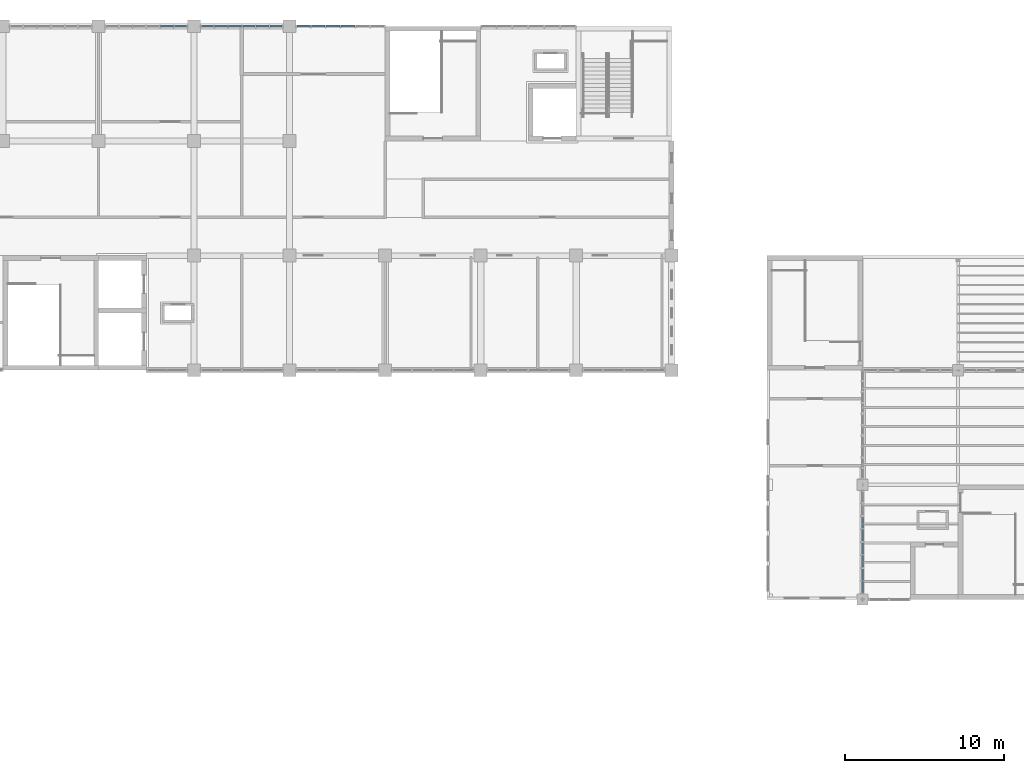
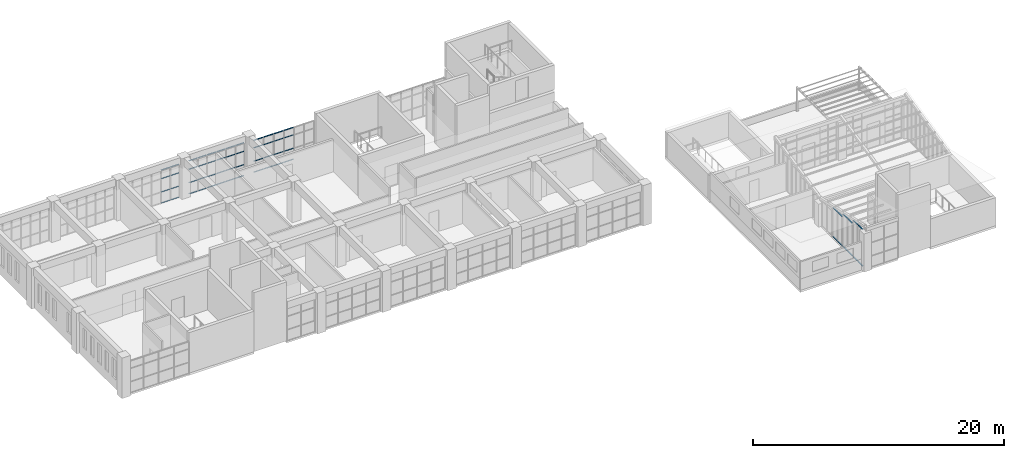
# One storey, part 28 of 51: 60 members, 6 elements without a shape of their own.
"""IFC4 building model written with IfcOpenShell, lengths in metres."""

from ifc_helpers import new_model, si_unit, direction, frame, origin, origin_2d, place, context, subcontext, project, spatial, hollow_rectangle, extrude, material, material_profile, profile_set, type_object, element, aggregate, save


model = new_model("IFC4")

# Units and contexts
model_context = context("Model", 3, precision=1e-05, world=origin(), true_north=direction((0.0, 1.0)))
body_context = subcontext(model_context, "Body", "Model", "MODEL_VIEW")
ifc_project = project(units=[si_unit("LENGTHUNIT", "METRE"), si_unit("AREAUNIT", "SQUARE_METRE"), si_unit("VOLUMEUNIT", "CUBIC_METRE"), si_unit("PLANEANGLEUNIT", "RADIAN"), si_unit("MASSUNIT", "GRAM", prefix="KILO")], contexts=[model_context])

# Site, building, storey
site_placement = place(None, origin())
site = spatial("IfcSite", under=ifc_project, at=site_placement, CompositionType="ELEMENT")
building_placement = place(site_placement, origin())
building = spatial("IfcBuilding", under=site, at=building_placement, Name="Laocheng Heights Fire and Rescue Headquarters", CompositionType="ELEMENT")
storey_placement = place(building_placement, frame((0.0, 0.0, 21.0)))
storey = spatial("IfcBuildingStorey", under=building, at=storey_placement, Name="L05", CompositionType="ELEMENT", Elevation=21.0)

# Curtain wall, members
ifc_material_1 = material(Name="Dark anodised aluminium unitised curtain wall, low-e double glazing", Category="aluminium")
curtain_wall_type_1 = type_object("IfcCurtainWallType", Name="CW 1625 x 3590 CREW LOUNGE END UNIT", PredefinedType="NOTDEFINED", material=ifc_material_1)
curtain_wall_1_placement = place(storey_placement, origin())
curtain_wall_1 = element("IfcCurtainWall", 1, at=curtain_wall_1_placement, inside=storey, type_object=curtain_wall_type_1, Name="X12-W CREW LOUNGE WEST 36 1", PredefinedType="NOTDEFINED")
ifc_material_2 = material(Name="Dark anodised aluminium 6063-T5 extrusion", Category="aluminium")
ifc_material_profile_1 = material_profile(ifc_material_2, hollow_rectangle(XDim=0.10009765625, YDim=0.050048828125, WallThickness=0.0029296875, at=origin_2d()), Name="AL TRANSOM 100x50x3 CREW LOUNGE END UNIT")
ifc_profile_set_1 = profile_set([ifc_material_profile_1], Name="Dark anodised aluminium 6063-T5 extrusion")
member_type_1 = type_object("IfcMemberType", Name="AL TRANSOM 100x50x3 CREW LOUNGE END UNIT", PredefinedType="USERDEFINED", material=ifc_profile_set_1)
member_1_placement = place(storey_placement, frame((96.0, 36.409912109375, 0.02490234375), z_axis=(0.0, 1.0, 0.0), x_axis=(-1.0, 0.0, 0.0)))
member_1 = element("IfcMember", 2, at=member_1_placement, type_object=member_type_1, Name="X12-W transom 1.1", ObjectType="TRANSOM", PredefinedType="USERDEFINED", context=body_context, shape_type="SweptSolid", body=[
    extrude(hollow_rectangle(XDim=0.10009765625, YDim=0.050048828125, WallThickness=0.0029296875, at=origin_2d()), origin(), (0.0, 0.0, 1.0), 0.72265625),
])
member_2_placement = place(storey_placement, frame((96.0, 36.409912109375, 3.565185546875), z_axis=(0.0, 1.0, 0.0), x_axis=(-1.0, 0.0, 0.0)))
member_2 = element("IfcMember", 3, at=member_2_placement, type_object=member_type_1, Name="X12-W transom 1.2", ObjectType="TRANSOM", PredefinedType="USERDEFINED", context=body_context, shape_type="SweptSolid", body=[
    extrude(hollow_rectangle(XDim=0.10009765625, YDim=0.050048828125, WallThickness=0.0029296875, at=origin_2d()), origin(), (0.0, 0.0, 1.0), 0.72265625),
])
member_3_placement = place(storey_placement, frame((96.0, 37.1923828125, 0.02490234375), z_axis=(0.0, 1.0, 0.0), x_axis=(-1.0, 0.0, 0.0)))
member_3 = element("IfcMember", 4, at=member_3_placement, type_object=member_type_1, Name="X12-W transom 2.1", ObjectType="TRANSOM", PredefinedType="USERDEFINED", context=body_context, shape_type="SweptSolid", body=[
    extrude(hollow_rectangle(XDim=0.10009765625, YDim=0.050048828125, WallThickness=0.0029296875, at=origin_2d()), origin(), (0.0, 0.0, 1.0), 0.72265625),
])
member_4_placement = place(storey_placement, frame((96.0, 37.1923828125, 3.565185546875), z_axis=(0.0, 1.0, 0.0), x_axis=(-1.0, 0.0, 0.0)))
member_4 = element("IfcMember", 5, at=member_4_placement, type_object=member_type_1, Name="X12-W transom 2.2", ObjectType="TRANSOM", PredefinedType="USERDEFINED", context=body_context, shape_type="SweptSolid", body=[
    extrude(hollow_rectangle(XDim=0.10009765625, YDim=0.050048828125, WallThickness=0.0029296875, at=origin_2d()), origin(), (0.0, 0.0, 1.0), 0.72265625),
])
aggregate(curtain_wall_1, [member_1, member_2, member_3, member_4])

ifc_material_3 = material(Name="Dark anodised aluminium unitised curtain wall, low-e double glazing", Category="aluminium")
curtain_wall_type_2 = type_object("IfcCurtainWallType", Name="CW 1625 x 3229 CREW LOUNGE END UNIT", PredefinedType="NOTDEFINED", material=ifc_material_3)
curtain_wall_2_placement = place(storey_placement, origin())
curtain_wall_2 = element("IfcCurtainWall", 6, at=curtain_wall_2_placement, inside=storey, type_object=curtain_wall_type_2, Name="X13-W CREW LOUNGE WEST 36 2", PredefinedType="NOTDEFINED")
member_5_placement = place(storey_placement, frame((96.0, 38.034912109375, 0.02490234375), z_axis=(0.0, 1.0, 0.0), x_axis=(-1.0, 0.0, 0.0)))
member_5 = element("IfcMember", 7, at=member_5_placement, type_object=member_type_1, Name="X13-W transom 1.1", ObjectType="TRANSOM", PredefinedType="USERDEFINED", context=body_context, shape_type="SweptSolid", body=[
    extrude(hollow_rectangle(XDim=0.10009765625, YDim=0.050048828125, WallThickness=0.0029296875, at=origin_2d()), origin(), (0.0, 0.0, 1.0), 0.72265625),
])
member_6_placement = place(storey_placement, frame((96.0, 38.034912109375, 3.2041015625), z_axis=(0.0, 1.0, 0.0), x_axis=(-1.0, 0.0, 0.0)))
member_6 = element("IfcMember", 8, at=member_6_placement, type_object=member_type_1, Name="X13-W transom 1.2", ObjectType="TRANSOM", PredefinedType="USERDEFINED", context=body_context, shape_type="SweptSolid", body=[
    extrude(hollow_rectangle(XDim=0.10009765625, YDim=0.050048828125, WallThickness=0.0029296875, at=origin_2d()), origin(), (0.0, 0.0, 1.0), 0.72265625),
])
member_7_placement = place(storey_placement, frame((96.0, 38.8173828125, 0.02490234375), z_axis=(0.0, 1.0, 0.0), x_axis=(-1.0, 0.0, 0.0)))
member_7 = element("IfcMember", 9, at=member_7_placement, type_object=member_type_1, Name="X13-W transom 2.1", ObjectType="TRANSOM", PredefinedType="USERDEFINED", context=body_context, shape_type="SweptSolid", body=[
    extrude(hollow_rectangle(XDim=0.10009765625, YDim=0.050048828125, WallThickness=0.0029296875, at=origin_2d()), origin(), (0.0, 0.0, 1.0), 0.72265625),
])
member_8_placement = place(storey_placement, frame((96.0, 38.8173828125, 3.2041015625), z_axis=(0.0, 1.0, 0.0), x_axis=(-1.0, 0.0, 0.0)))
member_8 = element("IfcMember", 10, at=member_8_placement, type_object=member_type_1, Name="X13-W transom 2.2", ObjectType="TRANSOM", PredefinedType="USERDEFINED", context=body_context, shape_type="SweptSolid", body=[
    extrude(hollow_rectangle(XDim=0.10009765625, YDim=0.050048828125, WallThickness=0.0029296875, at=origin_2d()), origin(), (0.0, 0.0, 1.0), 0.72265625),
])
aggregate(curtain_wall_2, [member_5, member_6, member_7, member_8])

ifc_material_4 = material(Name="Dark anodised aluminium unitised curtain wall, low-e double glazing", Category="aluminium")
curtain_wall_type_3 = type_object("IfcCurtainWallType", Name="CW 1625 x 2868 CREW LOUNGE END UNIT", PredefinedType="NOTDEFINED", material=ifc_material_4)
curtain_wall_3_placement = place(storey_placement, origin())
curtain_wall_3 = element("IfcCurtainWall", 11, at=curtain_wall_3_placement, inside=storey, type_object=curtain_wall_type_3, Name="X14-W CREW LOUNGE WEST 36 3", PredefinedType="NOTDEFINED")
member_9_placement = place(storey_placement, frame((96.0, 39.659912109375, 0.02490234375), z_axis=(0.0, 1.0, 0.0), x_axis=(-1.0, 0.0, 0.0)))
member_9 = element("IfcMember", 12, at=member_9_placement, type_object=member_type_1, Name="X14-W transom 1.1", ObjectType="TRANSOM", PredefinedType="USERDEFINED", context=body_context, shape_type="SweptSolid", body=[
    extrude(hollow_rectangle(XDim=0.10009765625, YDim=0.050048828125, WallThickness=0.0029296875, at=origin_2d()), origin(), (0.0, 0.0, 1.0), 0.72265625),
])
member_10_placement = place(storey_placement, frame((96.0, 39.659912109375, 2.843017578125), z_axis=(0.0, 1.0, 0.0), x_axis=(-1.0, 0.0, 0.0)))
member_10 = element("IfcMember", 13, at=member_10_placement, type_object=member_type_1, Name="X14-W transom 1.2", ObjectType="TRANSOM", PredefinedType="USERDEFINED", context=body_context, shape_type="SweptSolid", body=[
    extrude(hollow_rectangle(XDim=0.10009765625, YDim=0.050048828125, WallThickness=0.0029296875, at=origin_2d()), origin(), (0.0, 0.0, 1.0), 0.72265625),
])
member_11_placement = place(storey_placement, frame((96.0, 40.4423828125, 0.02490234375), z_axis=(0.0, 1.0, 0.0), x_axis=(-1.0, 0.0, 0.0)))
member_11 = element("IfcMember", 14, at=member_11_placement, type_object=member_type_1, Name="X14-W transom 2.1", ObjectType="TRANSOM", PredefinedType="USERDEFINED", context=body_context, shape_type="SweptSolid", body=[
    extrude(hollow_rectangle(XDim=0.10009765625, YDim=0.050048828125, WallThickness=0.0029296875, at=origin_2d()), origin(), (0.0, 0.0, 1.0), 0.72265625),
])
member_12_placement = place(storey_placement, frame((96.0, 40.4423828125, 2.843017578125), z_axis=(0.0, 1.0, 0.0), x_axis=(-1.0, 0.0, 0.0)))
member_12 = element("IfcMember", 15, at=member_12_placement, type_object=member_type_1, Name="X14-W transom 2.2", ObjectType="TRANSOM", PredefinedType="USERDEFINED", context=body_context, shape_type="SweptSolid", body=[
    extrude(hollow_rectangle(XDim=0.10009765625, YDim=0.050048828125, WallThickness=0.0029296875, at=origin_2d()), origin(), (0.0, 0.0, 1.0), 0.72265625),
])
aggregate(curtain_wall_3, [member_9, member_10, member_11, member_12])

ifc_material_5 = material(Name="Dark anodised aluminium unitised curtain wall, low-e double glazing", Category="aluminium")
curtain_wall_type_4 = type_object("IfcCurtainWallType", Name="CW 5200 x 3250 HQ NORTH GLAZING", PredefinedType="NOTDEFINED", material=ifc_material_5)
curtain_wall_4_placement = place(storey_placement, origin())
curtain_wall_4 = element("IfcCurtainWall", 16, at=curtain_wall_4_placement, inside=storey, type_object=curtain_wall_type_4, Name="X26-X HQ NORTH L05", PredefinedType="NOTDEFINED")
ifc_material_6 = material(Name="Dark anodised aluminium 6063-T5 extrusion", Category="aluminium")
ifc_material_profile_2 = material_profile(ifc_material_6, hollow_rectangle(XDim=0.10009765625, YDim=0.050048828125, WallThickness=0.0029296875, at=origin_2d()), Name="AL TRANSOM 100x50x3 HQ NORTH GLAZING")
ifc_profile_set_2 = profile_set([ifc_material_profile_2], Name="Dark anodised aluminium 6063-T5 extrusion")
member_type_2 = type_object("IfcMemberType", Name="AL TRANSOM 100x50x3 HQ NORTH GLAZING", PredefinedType="USERDEFINED", material=ifc_profile_set_2)
member_13_placement = place(storey_placement, frame((51.896728515625, 72.0, 0.02490234375), z_axis=(1.0, 0.0, 0.0), x_axis=(0.0, 1.0, 0.0)))
member_13 = element("IfcMember", 17, at=member_13_placement, type_object=member_type_2, Name="X26-X transom 5.1", ObjectType="TRANSOM", PredefinedType="USERDEFINED", context=body_context, shape_type="SweptSolid", body=[
    extrude(hollow_rectangle(XDim=0.10009765625, YDim=0.050048828125, WallThickness=0.0029296875, at=origin_2d()), origin(), (0.0, 0.0, 1.0), 0.806640625),
])
member_14_placement = place(storey_placement, frame((51.896728515625, 72.0, 1.10009765625), z_axis=(1.0, 0.0, 0.0), x_axis=(0.0, 1.0, 0.0)))
member_14 = element("IfcMember", 18, at=member_14_placement, type_object=member_type_2, Name="X26-X transom 5.2", ObjectType="TRANSOM", PredefinedType="USERDEFINED", context=body_context, shape_type="SweptSolid", body=[
    extrude(hollow_rectangle(XDim=0.10009765625, YDim=0.050048828125, WallThickness=0.0029296875, at=origin_2d()), origin(), (0.0, 0.0, 1.0), 0.806640625),
])
member_15_placement = place(storey_placement, frame((51.896728515625, 72.0, 2.39990234375), z_axis=(1.0, 0.0, 0.0), x_axis=(0.0, 1.0, 0.0)))
member_15 = element("IfcMember", 19, at=member_15_placement, type_object=member_type_2, Name="X26-X transom 5.3", ObjectType="TRANSOM", PredefinedType="USERDEFINED", context=body_context, shape_type="SweptSolid", body=[
    extrude(hollow_rectangle(XDim=0.10009765625, YDim=0.050048828125, WallThickness=0.0029296875, at=origin_2d()), origin(), (0.0, 0.0, 1.0), 0.806640625),
])
member_16_placement = place(storey_placement, frame((51.896728515625, 72.0, 3.22509765625), z_axis=(1.0, 0.0, 0.0), x_axis=(0.0, 1.0, 0.0)))
member_16 = element("IfcMember", 20, at=member_16_placement, type_object=member_type_2, Name="X26-X transom 5.4", ObjectType="TRANSOM", PredefinedType="USERDEFINED", context=body_context, shape_type="SweptSolid", body=[
    extrude(hollow_rectangle(XDim=0.10009765625, YDim=0.050048828125, WallThickness=0.0029296875, at=origin_2d()), origin(), (0.0, 0.0, 1.0), 0.806640625),
])
member_17_placement = place(storey_placement, frame((52.763427734375, 72.0, 0.02490234375), z_axis=(1.0, 0.0, 0.0), x_axis=(0.0, 1.0, 0.0)))
member_17 = element("IfcMember", 21, at=member_17_placement, type_object=member_type_2, Name="X26-X transom 6.1", ObjectType="TRANSOM", PredefinedType="USERDEFINED", context=body_context, shape_type="SweptSolid", body=[
    extrude(hollow_rectangle(XDim=0.10009765625, YDim=0.050048828125, WallThickness=0.0029296875, at=origin_2d()), origin(), (0.0, 0.0, 1.0), 0.776611328125),
])
member_18_placement = place(storey_placement, frame((52.763427734375, 72.0, 1.10009765625), z_axis=(1.0, 0.0, 0.0), x_axis=(0.0, 1.0, 0.0)))
member_18 = element("IfcMember", 22, at=member_18_placement, type_object=member_type_2, Name="X26-X transom 6.2", ObjectType="TRANSOM", PredefinedType="USERDEFINED", context=body_context, shape_type="SweptSolid", body=[
    extrude(hollow_rectangle(XDim=0.10009765625, YDim=0.050048828125, WallThickness=0.0029296875, at=origin_2d()), origin(), (0.0, 0.0, 1.0), 0.776611328125),
])
member_19_placement = place(storey_placement, frame((52.763427734375, 72.0, 2.39990234375), z_axis=(1.0, 0.0, 0.0), x_axis=(0.0, 1.0, 0.0)))
member_19 = element("IfcMember", 23, at=member_19_placement, type_object=member_type_2, Name="X26-X transom 6.3", ObjectType="TRANSOM", PredefinedType="USERDEFINED", context=body_context, shape_type="SweptSolid", body=[
    extrude(hollow_rectangle(XDim=0.10009765625, YDim=0.050048828125, WallThickness=0.0029296875, at=origin_2d()), origin(), (0.0, 0.0, 1.0), 0.776611328125),
])
member_20_placement = place(storey_placement, frame((52.763427734375, 72.0, 3.22509765625), z_axis=(1.0, 0.0, 0.0), x_axis=(0.0, 1.0, 0.0)))
member_20 = element("IfcMember", 24, at=member_20_placement, type_object=member_type_2, Name="X26-X transom 6.4", ObjectType="TRANSOM", PredefinedType="USERDEFINED", context=body_context, shape_type="SweptSolid", body=[
    extrude(hollow_rectangle(XDim=0.10009765625, YDim=0.050048828125, WallThickness=0.0029296875, at=origin_2d()), origin(), (0.0, 0.0, 1.0), 0.776611328125),
])
aggregate(curtain_wall_4, [member_13, member_14, member_15, member_16, member_17, member_18, member_19, member_20])

curtain_wall_5_placement = place(storey_placement, origin())
curtain_wall_5 = element("IfcCurtainWall", 25, at=curtain_wall_5_placement, inside=storey, type_object=curtain_wall_type_4, Name="X26-X HQ NORTH L05", PredefinedType="NOTDEFINED")
member_21_placement = place(storey_placement, frame((54.4599609375, 72.0, 0.02490234375), z_axis=(1.0, 0.0, 0.0), x_axis=(0.0, 1.0, 0.0)))
member_21 = element("IfcMember", 26, at=member_21_placement, type_object=member_type_2, Name="X26-X transom 1.1", ObjectType="TRANSOM", PredefinedType="USERDEFINED", context=body_context, shape_type="SweptSolid", body=[
    extrude(hollow_rectangle(XDim=0.10009765625, YDim=0.050048828125, WallThickness=0.0029296875, at=origin_2d()), origin(), (0.0, 0.0, 1.0), 0.776611328125),
])
member_22_placement = place(storey_placement, frame((54.4599609375, 72.0, 1.10009765625), z_axis=(1.0, 0.0, 0.0), x_axis=(0.0, 1.0, 0.0)))
member_22 = element("IfcMember", 27, at=member_22_placement, type_object=member_type_2, Name="X26-X transom 1.2", ObjectType="TRANSOM", PredefinedType="USERDEFINED", context=body_context, shape_type="SweptSolid", body=[
    extrude(hollow_rectangle(XDim=0.10009765625, YDim=0.050048828125, WallThickness=0.0029296875, at=origin_2d()), origin(), (0.0, 0.0, 1.0), 0.776611328125),
])
member_23_placement = place(storey_placement, frame((54.4599609375, 72.0, 2.39990234375), z_axis=(1.0, 0.0, 0.0), x_axis=(0.0, 1.0, 0.0)))
member_23 = element("IfcMember", 28, at=member_23_placement, type_object=member_type_2, Name="X26-X transom 1.3", ObjectType="TRANSOM", PredefinedType="USERDEFINED", context=body_context, shape_type="SweptSolid", body=[
    extrude(hollow_rectangle(XDim=0.10009765625, YDim=0.050048828125, WallThickness=0.0029296875, at=origin_2d()), origin(), (0.0, 0.0, 1.0), 0.776611328125),
])
member_24_placement = place(storey_placement, frame((54.4599609375, 72.0, 3.22509765625), z_axis=(1.0, 0.0, 0.0), x_axis=(0.0, 1.0, 0.0)))
member_24 = element("IfcMember", 29, at=member_24_placement, type_object=member_type_2, Name="X26-X transom 1.4", ObjectType="TRANSOM", PredefinedType="USERDEFINED", context=body_context, shape_type="SweptSolid", body=[
    extrude(hollow_rectangle(XDim=0.10009765625, YDim=0.050048828125, WallThickness=0.0029296875, at=origin_2d()), origin(), (0.0, 0.0, 1.0), 0.776611328125),
])
member_25_placement = place(storey_placement, frame((55.296630859375, 72.0, 0.02490234375), z_axis=(1.0, 0.0, 0.0), x_axis=(0.0, 1.0, 0.0)))
member_25 = element("IfcMember", 30, at=member_25_placement, type_object=member_type_2, Name="X26-X transom 2.1", ObjectType="TRANSOM", PredefinedType="USERDEFINED", context=body_context, shape_type="SweptSolid", body=[
    extrude(hollow_rectangle(XDim=0.10009765625, YDim=0.050048828125, WallThickness=0.0029296875, at=origin_2d()), origin(), (0.0, 0.0, 1.0), 0.806640625),
])
member_26_placement = place(storey_placement, frame((55.296630859375, 72.0, 1.10009765625), z_axis=(1.0, 0.0, 0.0), x_axis=(0.0, 1.0, 0.0)))
member_26 = element("IfcMember", 31, at=member_26_placement, type_object=member_type_2, Name="X26-X transom 2.2", ObjectType="TRANSOM", PredefinedType="USERDEFINED", context=body_context, shape_type="SweptSolid", body=[
    extrude(hollow_rectangle(XDim=0.10009765625, YDim=0.050048828125, WallThickness=0.0029296875, at=origin_2d()), origin(), (0.0, 0.0, 1.0), 0.806640625),
])
member_27_placement = place(storey_placement, frame((55.296630859375, 72.0, 2.39990234375), z_axis=(1.0, 0.0, 0.0), x_axis=(0.0, 1.0, 0.0)))
member_27 = element("IfcMember", 32, at=member_27_placement, type_object=member_type_2, Name="X26-X transom 2.3", ObjectType="TRANSOM", PredefinedType="USERDEFINED", context=body_context, shape_type="SweptSolid", body=[
    extrude(hollow_rectangle(XDim=0.10009765625, YDim=0.050048828125, WallThickness=0.0029296875, at=origin_2d()), origin(), (0.0, 0.0, 1.0), 0.806640625),
])
member_28_placement = place(storey_placement, frame((55.296630859375, 72.0, 3.22509765625), z_axis=(1.0, 0.0, 0.0), x_axis=(0.0, 1.0, 0.0)))
member_28 = element("IfcMember", 33, at=member_28_placement, type_object=member_type_2, Name="X26-X transom 2.4", ObjectType="TRANSOM", PredefinedType="USERDEFINED", context=body_context, shape_type="SweptSolid", body=[
    extrude(hollow_rectangle(XDim=0.10009765625, YDim=0.050048828125, WallThickness=0.0029296875, at=origin_2d()), origin(), (0.0, 0.0, 1.0), 0.806640625),
])
member_29_placement = place(storey_placement, frame((56.163330078125, 72.0, 0.02490234375), z_axis=(1.0, 0.0, 0.0), x_axis=(0.0, 1.0, 0.0)))
member_29 = element("IfcMember", 34, at=member_29_placement, type_object=member_type_2, Name="X26-X transom 3.1", ObjectType="TRANSOM", PredefinedType="USERDEFINED", context=body_context, shape_type="SweptSolid", body=[
    extrude(hollow_rectangle(XDim=0.10009765625, YDim=0.050048828125, WallThickness=0.0029296875, at=origin_2d()), origin(), (0.0, 0.0, 1.0), 0.806640625),
])
member_30_placement = place(storey_placement, frame((56.163330078125, 72.0, 1.10009765625), z_axis=(1.0, 0.0, 0.0), x_axis=(0.0, 1.0, 0.0)))
member_30 = element("IfcMember", 35, at=member_30_placement, type_object=member_type_2, Name="X26-X transom 3.2", ObjectType="TRANSOM", PredefinedType="USERDEFINED", context=body_context, shape_type="SweptSolid", body=[
    extrude(hollow_rectangle(XDim=0.10009765625, YDim=0.050048828125, WallThickness=0.0029296875, at=origin_2d()), origin(), (0.0, 0.0, 1.0), 0.806640625),
])
member_31_placement = place(storey_placement, frame((56.163330078125, 72.0, 2.39990234375), z_axis=(1.0, 0.0, 0.0), x_axis=(0.0, 1.0, 0.0)))
member_31 = element("IfcMember", 36, at=member_31_placement, type_object=member_type_2, Name="X26-X transom 3.3", ObjectType="TRANSOM", PredefinedType="USERDEFINED", context=body_context, shape_type="SweptSolid", body=[
    extrude(hollow_rectangle(XDim=0.10009765625, YDim=0.050048828125, WallThickness=0.0029296875, at=origin_2d()), origin(), (0.0, 0.0, 1.0), 0.806640625),
])
member_32_placement = place(storey_placement, frame((56.163330078125, 72.0, 3.22509765625), z_axis=(1.0, 0.0, 0.0), x_axis=(0.0, 1.0, 0.0)))
member_32 = element("IfcMember", 37, at=member_32_placement, type_object=member_type_2, Name="X26-X transom 3.4", ObjectType="TRANSOM", PredefinedType="USERDEFINED", context=body_context, shape_type="SweptSolid", body=[
    extrude(hollow_rectangle(XDim=0.10009765625, YDim=0.050048828125, WallThickness=0.0029296875, at=origin_2d()), origin(), (0.0, 0.0, 1.0), 0.806640625),
])
member_33_placement = place(storey_placement, frame((57.030029296875, 72.0, 0.02490234375), z_axis=(1.0, 0.0, 0.0), x_axis=(0.0, 1.0, 0.0)))
member_33 = element("IfcMember", 38, at=member_33_placement, type_object=member_type_2, Name="X26-X transom 4.1", ObjectType="TRANSOM", PredefinedType="USERDEFINED", context=body_context, shape_type="SweptSolid", body=[
    extrude(hollow_rectangle(XDim=0.10009765625, YDim=0.050048828125, WallThickness=0.0029296875, at=origin_2d()), origin(), (0.0, 0.0, 1.0), 0.806640625),
])
member_34_placement = place(storey_placement, frame((57.030029296875, 72.0, 1.10009765625), z_axis=(1.0, 0.0, 0.0), x_axis=(0.0, 1.0, 0.0)))
member_34 = element("IfcMember", 39, at=member_34_placement, type_object=member_type_2, Name="X26-X transom 4.2", ObjectType="TRANSOM", PredefinedType="USERDEFINED", context=body_context, shape_type="SweptSolid", body=[
    extrude(hollow_rectangle(XDim=0.10009765625, YDim=0.050048828125, WallThickness=0.0029296875, at=origin_2d()), origin(), (0.0, 0.0, 1.0), 0.806640625),
])
member_35_placement = place(storey_placement, frame((57.030029296875, 72.0, 2.39990234375), z_axis=(1.0, 0.0, 0.0), x_axis=(0.0, 1.0, 0.0)))
member_35 = element("IfcMember", 40, at=member_35_placement, type_object=member_type_2, Name="X26-X transom 4.3", ObjectType="TRANSOM", PredefinedType="USERDEFINED", context=body_context, shape_type="SweptSolid", body=[
    extrude(hollow_rectangle(XDim=0.10009765625, YDim=0.050048828125, WallThickness=0.0029296875, at=origin_2d()), origin(), (0.0, 0.0, 1.0), 0.806640625),
])
member_36_placement = place(storey_placement, frame((57.030029296875, 72.0, 3.22509765625), z_axis=(1.0, 0.0, 0.0), x_axis=(0.0, 1.0, 0.0)))
member_36 = element("IfcMember", 41, at=member_36_placement, type_object=member_type_2, Name="X26-X transom 4.4", ObjectType="TRANSOM", PredefinedType="USERDEFINED", context=body_context, shape_type="SweptSolid", body=[
    extrude(hollow_rectangle(XDim=0.10009765625, YDim=0.050048828125, WallThickness=0.0029296875, at=origin_2d()), origin(), (0.0, 0.0, 1.0), 0.806640625),
])
member_37_placement = place(storey_placement, frame((57.896728515625, 72.0, 0.02490234375), z_axis=(1.0, 0.0, 0.0), x_axis=(0.0, 1.0, 0.0)))
member_37 = element("IfcMember", 42, at=member_37_placement, type_object=member_type_2, Name="X26-X transom 5.1", ObjectType="TRANSOM", PredefinedType="USERDEFINED", context=body_context, shape_type="SweptSolid", body=[
    extrude(hollow_rectangle(XDim=0.10009765625, YDim=0.050048828125, WallThickness=0.0029296875, at=origin_2d()), origin(), (0.0, 0.0, 1.0), 0.806640625),
])
member_38_placement = place(storey_placement, frame((57.896728515625, 72.0, 1.10009765625), z_axis=(1.0, 0.0, 0.0), x_axis=(0.0, 1.0, 0.0)))
member_38 = element("IfcMember", 43, at=member_38_placement, type_object=member_type_2, Name="X26-X transom 5.2", ObjectType="TRANSOM", PredefinedType="USERDEFINED", context=body_context, shape_type="SweptSolid", body=[
    extrude(hollow_rectangle(XDim=0.10009765625, YDim=0.050048828125, WallThickness=0.0029296875, at=origin_2d()), origin(), (0.0, 0.0, 1.0), 0.806640625),
])
member_39_placement = place(storey_placement, frame((57.896728515625, 72.0, 2.39990234375), z_axis=(1.0, 0.0, 0.0), x_axis=(0.0, 1.0, 0.0)))
member_39 = element("IfcMember", 44, at=member_39_placement, type_object=member_type_2, Name="X26-X transom 5.3", ObjectType="TRANSOM", PredefinedType="USERDEFINED", context=body_context, shape_type="SweptSolid", body=[
    extrude(hollow_rectangle(XDim=0.10009765625, YDim=0.050048828125, WallThickness=0.0029296875, at=origin_2d()), origin(), (0.0, 0.0, 1.0), 0.806640625),
])
member_40_placement = place(storey_placement, frame((57.896728515625, 72.0, 3.22509765625), z_axis=(1.0, 0.0, 0.0), x_axis=(0.0, 1.0, 0.0)))
member_40 = element("IfcMember", 45, at=member_40_placement, type_object=member_type_2, Name="X26-X transom 5.4", ObjectType="TRANSOM", PredefinedType="USERDEFINED", context=body_context, shape_type="SweptSolid", body=[
    extrude(hollow_rectangle(XDim=0.10009765625, YDim=0.050048828125, WallThickness=0.0029296875, at=origin_2d()), origin(), (0.0, 0.0, 1.0), 0.806640625),
])
member_41_placement = place(storey_placement, frame((58.763427734375, 72.0, 0.02490234375), z_axis=(1.0, 0.0, 0.0), x_axis=(0.0, 1.0, 0.0)))
member_41 = element("IfcMember", 46, at=member_41_placement, type_object=member_type_2, Name="X26-X transom 6.1", ObjectType="TRANSOM", PredefinedType="USERDEFINED", context=body_context, shape_type="SweptSolid", body=[
    extrude(hollow_rectangle(XDim=0.10009765625, YDim=0.050048828125, WallThickness=0.0029296875, at=origin_2d()), origin(), (0.0, 0.0, 1.0), 0.776611328125),
])
member_42_placement = place(storey_placement, frame((58.763427734375, 72.0, 1.10009765625), z_axis=(1.0, 0.0, 0.0), x_axis=(0.0, 1.0, 0.0)))
member_42 = element("IfcMember", 47, at=member_42_placement, type_object=member_type_2, Name="X26-X transom 6.2", ObjectType="TRANSOM", PredefinedType="USERDEFINED", context=body_context, shape_type="SweptSolid", body=[
    extrude(hollow_rectangle(XDim=0.10009765625, YDim=0.050048828125, WallThickness=0.0029296875, at=origin_2d()), origin(), (0.0, 0.0, 1.0), 0.776611328125),
])
member_43_placement = place(storey_placement, frame((58.763427734375, 72.0, 2.39990234375), z_axis=(1.0, 0.0, 0.0), x_axis=(0.0, 1.0, 0.0)))
member_43 = element("IfcMember", 48, at=member_43_placement, type_object=member_type_2, Name="X26-X transom 6.3", ObjectType="TRANSOM", PredefinedType="USERDEFINED", context=body_context, shape_type="SweptSolid", body=[
    extrude(hollow_rectangle(XDim=0.10009765625, YDim=0.050048828125, WallThickness=0.0029296875, at=origin_2d()), origin(), (0.0, 0.0, 1.0), 0.776611328125),
])
member_44_placement = place(storey_placement, frame((58.763427734375, 72.0, 3.22509765625), z_axis=(1.0, 0.0, 0.0), x_axis=(0.0, 1.0, 0.0)))
member_44 = element("IfcMember", 49, at=member_44_placement, type_object=member_type_2, Name="X26-X transom 6.4", ObjectType="TRANSOM", PredefinedType="USERDEFINED", context=body_context, shape_type="SweptSolid", body=[
    extrude(hollow_rectangle(XDim=0.10009765625, YDim=0.050048828125, WallThickness=0.0029296875, at=origin_2d()), origin(), (0.0, 0.0, 1.0), 0.776611328125),
])
aggregate(curtain_wall_5, [member_21, member_22, member_23, member_24, member_25, member_26, member_27, member_28, member_29, member_30, member_31, member_32, member_33, member_34, member_35, member_36, member_37, member_38, member_39, member_40, member_41, member_42, member_43, member_44])

ifc_material_7 = material(Name="Dark anodised aluminium unitised curtain wall, low-e double glazing", Category="aluminium")
curtain_wall_type_5 = type_object("IfcCurtainWallType", Name="CW 5600 x 3150 HQ NORTH GLAZING", PredefinedType="NOTDEFINED", material=ifc_material_7)
curtain_wall_6_placement = place(storey_placement, origin())
curtain_wall_6 = element("IfcCurtainWall", 50, at=curtain_wall_6_placement, inside=storey, type_object=curtain_wall_type_5, Name="X27-X HQ NORTH L05", PredefinedType="NOTDEFINED")
member_45_placement = place(storey_placement, frame((60.4599609375, 72.0, 0.02490234375), z_axis=(1.0, 0.0, 0.0), x_axis=(0.0, 1.0, 0.0)))
member_45 = element("IfcMember", 51, at=member_45_placement, type_object=member_type_2, Name="X27-X transom 1.1", ObjectType="TRANSOM", PredefinedType="USERDEFINED", context=body_context, shape_type="SweptSolid", body=[
    extrude(hollow_rectangle(XDim=0.10009765625, YDim=0.050048828125, WallThickness=0.0029296875, at=origin_2d()), origin(), (0.0, 0.0, 1.0), 0.84326171875),
])
member_46_placement = place(storey_placement, frame((60.4599609375, 72.0, 1.10009765625), z_axis=(1.0, 0.0, 0.0), x_axis=(0.0, 1.0, 0.0)))
member_46 = element("IfcMember", 52, at=member_46_placement, type_object=member_type_2, Name="X27-X transom 1.2", ObjectType="TRANSOM", PredefinedType="USERDEFINED", context=body_context, shape_type="SweptSolid", body=[
    extrude(hollow_rectangle(XDim=0.10009765625, YDim=0.050048828125, WallThickness=0.0029296875, at=origin_2d()), origin(), (0.0, 0.0, 1.0), 0.84326171875),
])
member_47_placement = place(storey_placement, frame((60.4599609375, 72.0, 2.39990234375), z_axis=(1.0, 0.0, 0.0), x_axis=(0.0, 1.0, 0.0)))
member_47 = element("IfcMember", 53, at=member_47_placement, type_object=member_type_2, Name="X27-X transom 1.3", ObjectType="TRANSOM", PredefinedType="USERDEFINED", context=body_context, shape_type="SweptSolid", body=[
    extrude(hollow_rectangle(XDim=0.10009765625, YDim=0.050048828125, WallThickness=0.0029296875, at=origin_2d()), origin(), (0.0, 0.0, 1.0), 0.84326171875),
])
member_48_placement = place(storey_placement, frame((60.4599609375, 72.0, 3.125), z_axis=(1.0, 0.0, 0.0), x_axis=(0.0, 1.0, 0.0)))
member_48 = element("IfcMember", 54, at=member_48_placement, type_object=member_type_2, Name="X27-X transom 1.4", ObjectType="TRANSOM", PredefinedType="USERDEFINED", context=body_context, shape_type="SweptSolid", body=[
    extrude(hollow_rectangle(XDim=0.10009765625, YDim=0.050048828125, WallThickness=0.0029296875, at=origin_2d()), origin(), (0.0, 0.0, 1.0), 0.84326171875),
])
member_49_placement = place(storey_placement, frame((61.36328125, 72.0, 0.02490234375), z_axis=(1.0, 0.0, 0.0), x_axis=(0.0, 1.0, 0.0)))
member_49 = element("IfcMember", 55, at=member_49_placement, type_object=member_type_2, Name="X27-X transom 2.1", ObjectType="TRANSOM", PredefinedType="USERDEFINED", context=body_context, shape_type="SweptSolid", body=[
    extrude(hollow_rectangle(XDim=0.10009765625, YDim=0.050048828125, WallThickness=0.0029296875, at=origin_2d()), origin(), (0.0, 0.0, 1.0), 0.873291015625),
])
member_50_placement = place(storey_placement, frame((61.36328125, 72.0, 1.10009765625), z_axis=(1.0, 0.0, 0.0), x_axis=(0.0, 1.0, 0.0)))
member_50 = element("IfcMember", 56, at=member_50_placement, type_object=member_type_2, Name="X27-X transom 2.2", ObjectType="TRANSOM", PredefinedType="USERDEFINED", context=body_context, shape_type="SweptSolid", body=[
    extrude(hollow_rectangle(XDim=0.10009765625, YDim=0.050048828125, WallThickness=0.0029296875, at=origin_2d()), origin(), (0.0, 0.0, 1.0), 0.873291015625),
])
member_51_placement = place(storey_placement, frame((61.36328125, 72.0, 2.39990234375), z_axis=(1.0, 0.0, 0.0), x_axis=(0.0, 1.0, 0.0)))
member_51 = element("IfcMember", 57, at=member_51_placement, type_object=member_type_2, Name="X27-X transom 2.3", ObjectType="TRANSOM", PredefinedType="USERDEFINED", context=body_context, shape_type="SweptSolid", body=[
    extrude(hollow_rectangle(XDim=0.10009765625, YDim=0.050048828125, WallThickness=0.0029296875, at=origin_2d()), origin(), (0.0, 0.0, 1.0), 0.873291015625),
])
member_52_placement = place(storey_placement, frame((61.36328125, 72.0, 3.125), z_axis=(1.0, 0.0, 0.0), x_axis=(0.0, 1.0, 0.0)))
member_52 = element("IfcMember", 58, at=member_52_placement, type_object=member_type_2, Name="X27-X transom 2.4", ObjectType="TRANSOM", PredefinedType="USERDEFINED", context=body_context, shape_type="SweptSolid", body=[
    extrude(hollow_rectangle(XDim=0.10009765625, YDim=0.050048828125, WallThickness=0.0029296875, at=origin_2d()), origin(), (0.0, 0.0, 1.0), 0.873291015625),
])
member_53_placement = place(storey_placement, frame((62.296630859375, 72.0, 0.02490234375), z_axis=(1.0, 0.0, 0.0), x_axis=(0.0, 1.0, 0.0)))
member_53 = element("IfcMember", 59, at=member_53_placement, type_object=member_type_2, Name="X27-X transom 3.1", ObjectType="TRANSOM", PredefinedType="USERDEFINED", context=body_context, shape_type="SweptSolid", body=[
    extrude(hollow_rectangle(XDim=0.10009765625, YDim=0.050048828125, WallThickness=0.0029296875, at=origin_2d()), origin(), (0.0, 0.0, 1.0), 0.873291015625),
])
member_54_placement = place(storey_placement, frame((62.296630859375, 72.0, 1.10009765625), z_axis=(1.0, 0.0, 0.0), x_axis=(0.0, 1.0, 0.0)))
member_54 = element("IfcMember", 60, at=member_54_placement, type_object=member_type_2, Name="X27-X transom 3.2", ObjectType="TRANSOM", PredefinedType="USERDEFINED", context=body_context, shape_type="SweptSolid", body=[
    extrude(hollow_rectangle(XDim=0.10009765625, YDim=0.050048828125, WallThickness=0.0029296875, at=origin_2d()), origin(), (0.0, 0.0, 1.0), 0.873291015625),
])
member_55_placement = place(storey_placement, frame((62.296630859375, 72.0, 2.39990234375), z_axis=(1.0, 0.0, 0.0), x_axis=(0.0, 1.0, 0.0)))
member_55 = element("IfcMember", 61, at=member_55_placement, type_object=member_type_2, Name="X27-X transom 3.3", ObjectType="TRANSOM", PredefinedType="USERDEFINED", context=body_context, shape_type="SweptSolid", body=[
    extrude(hollow_rectangle(XDim=0.10009765625, YDim=0.050048828125, WallThickness=0.0029296875, at=origin_2d()), origin(), (0.0, 0.0, 1.0), 0.873291015625),
])
member_56_placement = place(storey_placement, frame((62.296630859375, 72.0, 3.125), z_axis=(1.0, 0.0, 0.0), x_axis=(0.0, 1.0, 0.0)))
member_56 = element("IfcMember", 62, at=member_56_placement, type_object=member_type_2, Name="X27-X transom 3.4", ObjectType="TRANSOM", PredefinedType="USERDEFINED", context=body_context, shape_type="SweptSolid", body=[
    extrude(hollow_rectangle(XDim=0.10009765625, YDim=0.050048828125, WallThickness=0.0029296875, at=origin_2d()), origin(), (0.0, 0.0, 1.0), 0.873291015625),
])
member_57_placement = place(storey_placement, frame((63.22998046875, 72.0, 0.02490234375), z_axis=(1.0, 0.0, 0.0), x_axis=(0.0, 1.0, 0.0)))
member_57 = element("IfcMember", 63, at=member_57_placement, type_object=member_type_2, Name="X27-X transom 4.1", ObjectType="TRANSOM", PredefinedType="USERDEFINED", context=body_context, shape_type="SweptSolid", body=[
    extrude(hollow_rectangle(XDim=0.10009765625, YDim=0.050048828125, WallThickness=0.0029296875, at=origin_2d()), origin(), (0.0, 0.0, 1.0), 0.873291015625),
])
member_58_placement = place(storey_placement, frame((63.22998046875, 72.0, 1.10009765625), z_axis=(1.0, 0.0, 0.0), x_axis=(0.0, 1.0, 0.0)))
member_58 = element("IfcMember", 64, at=member_58_placement, type_object=member_type_2, Name="X27-X transom 4.2", ObjectType="TRANSOM", PredefinedType="USERDEFINED", context=body_context, shape_type="SweptSolid", body=[
    extrude(hollow_rectangle(XDim=0.10009765625, YDim=0.050048828125, WallThickness=0.0029296875, at=origin_2d()), origin(), (0.0, 0.0, 1.0), 0.873291015625),
])
member_59_placement = place(storey_placement, frame((63.22998046875, 72.0, 2.39990234375), z_axis=(1.0, 0.0, 0.0), x_axis=(0.0, 1.0, 0.0)))
member_59 = element("IfcMember", 65, at=member_59_placement, type_object=member_type_2, Name="X27-X transom 4.3", ObjectType="TRANSOM", PredefinedType="USERDEFINED", context=body_context, shape_type="SweptSolid", body=[
    extrude(hollow_rectangle(XDim=0.10009765625, YDim=0.050048828125, WallThickness=0.0029296875, at=origin_2d()), origin(), (0.0, 0.0, 1.0), 0.873291015625),
])
member_60_placement = place(storey_placement, frame((63.22998046875, 72.0, 3.125), z_axis=(1.0, 0.0, 0.0), x_axis=(0.0, 1.0, 0.0)))
member_60 = element("IfcMember", 66, at=member_60_placement, type_object=member_type_2, Name="X27-X transom 4.4", ObjectType="TRANSOM", PredefinedType="USERDEFINED", context=body_context, shape_type="SweptSolid", body=[
    extrude(hollow_rectangle(XDim=0.10009765625, YDim=0.050048828125, WallThickness=0.0029296875, at=origin_2d()), origin(), (0.0, 0.0, 1.0), 0.873291015625),
])
aggregate(curtain_wall_6, [member_45, member_46, member_47, member_48, member_49, member_50, member_51, member_52, member_53, member_54, member_55, member_56, member_57, member_58, member_59, member_60])

save(model, "model.ifc")
